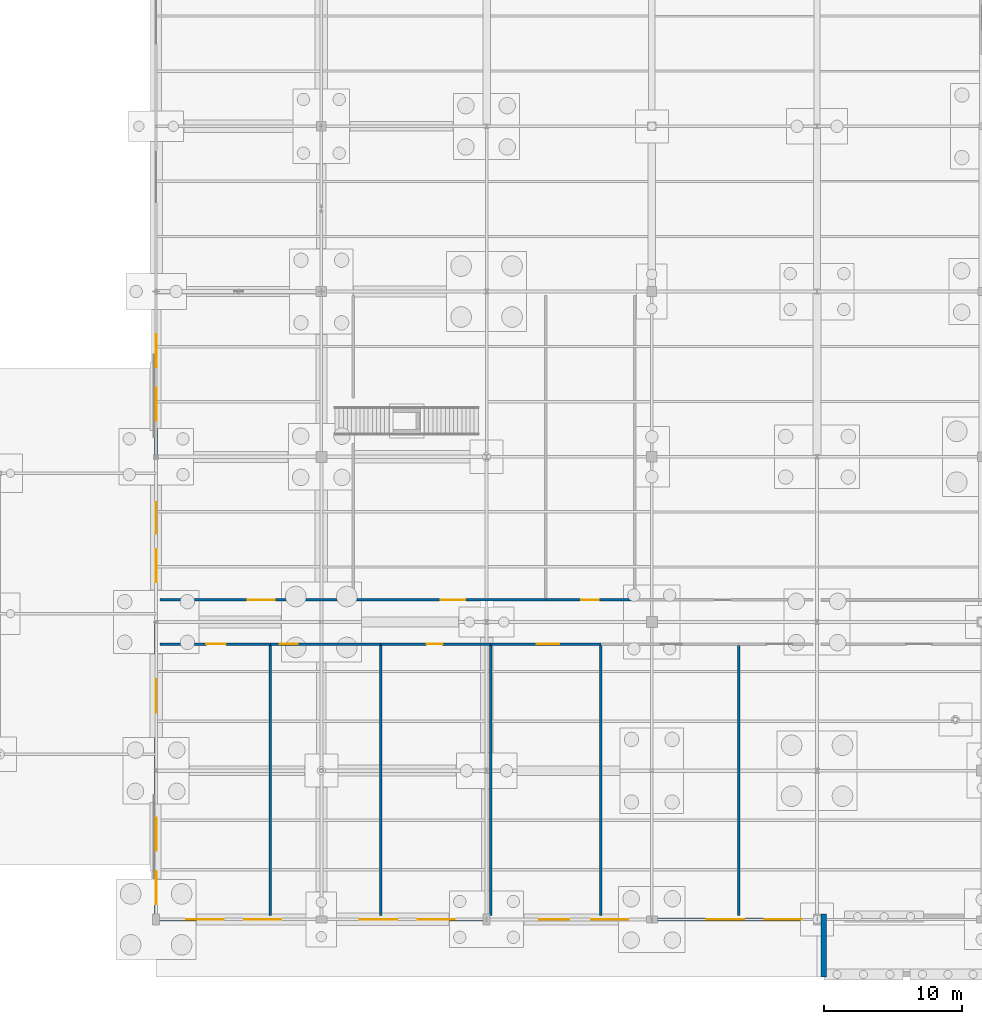
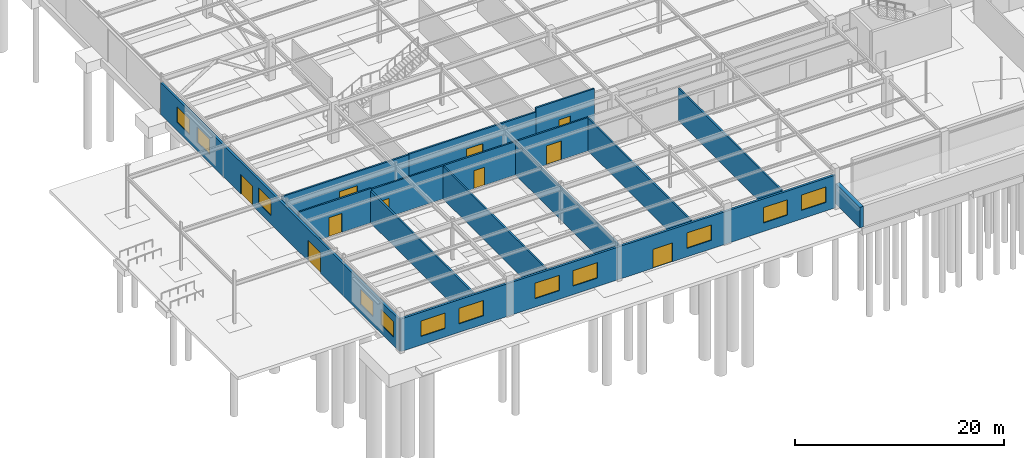
# One storey, part 118 of 136: 15 walls, 12 windows, 10 doors, 22 openings.
"""IFC4 building model written with IfcOpenShell, lengths in metres."""

import ifcopenshell
import ifcopenshell.guid

model = None  # the IFC model being written
_history = None  # IfcOwnerHistory: only IFC2X3 demands one
_inside = {}  # id of a spatial element -> (the spatial element, [elements in it])
_under = {}  # id of a project, library or spatial element -> (it, [spatial elements below it])
_declared = {}  # id of a project -> (the project, [libraries it declares])
_typed = {}  # id of a type object -> (the type object, [elements of that type])
_made_of = {}  # id of a material, layer set ... -> (it, [elements and type objects made of it])


def new_model(schema):
    """Start an empty IFC model of exactly this schema.

    Asked for "IFC4X3", IfcOpenShell would pick the latest addendum, in which some entities
    have other attributes; the version numbers below select the first issue.
    IFC2X3 requires an IfcOwnerHistory on every rooted entity: one is made here for all.
    """
    global model, _history
    if schema == "IFC4X3":
        model = ifcopenshell.file(schema_version=(4, 3, 0, 0))
    else:
        model = ifcopenshell.file(schema=schema)
    _inside.clear()
    _under.clear()
    _declared.clear()
    _typed.clear()
    _made_of.clear()
    _history = None
    if model.schema == "IFC2X3":
        org = make("IfcOrganization", Name="unknown")
        user = make(
            "IfcPersonAndOrganization",
            ThePerson=make("IfcPerson", FamilyName="unknown"),
            TheOrganization=org,
        )
        app = make(
            "IfcApplication",
            ApplicationDeveloper=org,
            Version="unknown",
            ApplicationFullName="unknown",
            ApplicationIdentifier="unknown",
        )
        _history = make(
            "IfcOwnerHistory",
            OwningUser=user,
            OwningApplication=app,
            ChangeAction="ADDED",
            CreationDate=0,
        )
    return model


def make(cls, **values):
    """One entity of the class cls with the attributes given. An attribute that is None is left unset."""
    return model.create_entity(
        cls, **{name: value for name, value in values.items() if value is not None}
    )


def rooted(cls, **values):
    """An entity with a GlobalId (a new one), such as an element, a storey or a relation."""
    return make(cls, GlobalId=ifcopenshell.guid.new(), OwnerHistory=_history, **values)


def si_unit(unit_type, name, prefix=None):
    """IfcSIUnit, for example si_unit("LENGTHUNIT", "METRE", prefix="MILLI")."""
    return make("IfcSIUnit", UnitType=unit_type, Prefix=prefix, Name=name)


def assignment(units):
    """IfcUnitAssignment: the units of a project."""
    return None if units is None else make("IfcUnitAssignment", Units=units)


def point(xyz):
    """IfcCartesianPoint."""
    return None if xyz is None else make("IfcCartesianPoint", Coordinates=xyz)


def direction(xyz):
    """IfcDirection."""
    return None if xyz is None else make("IfcDirection", DirectionRatios=xyz)


def frame(location, z_axis=None, x_axis=None):
    """IfcAxis2Placement3D, a coordinate frame: its origin and axes. An axis left out is left unset."""
    return make(
        "IfcAxis2Placement3D",
        Location=point(location),
        Axis=direction(z_axis),
        RefDirection=direction(x_axis),
    )


def frame_2d(location, x_axis=None):
    """IfcAxis2Placement2D, a coordinate frame in the plane: its origin and x axis."""
    return make(
        "IfcAxis2Placement2D", Location=point(location), RefDirection=direction(x_axis)
    )


def origin():
    """The frame at (0, 0, 0) with its axes left unset."""
    return frame((0.0, 0.0, 0.0))


def place(relative_to, where):
    """IfcLocalPlacement: puts the frame where relative to a parent placement (None: the world)."""
    return make(
        "IfcLocalPlacement", PlacementRelTo=relative_to, RelativePlacement=where
    )


def context(
    kind, dimensions, precision=None, world=None, true_north=None, identifier=None
):
    """IfcGeometricRepresentationContext, for example the 3D "Model" context."""
    return make(
        "IfcGeometricRepresentationContext",
        ContextIdentifier=identifier,
        ContextType=kind,
        CoordinateSpaceDimension=dimensions,
        Precision=precision,
        WorldCoordinateSystem=world,
        TrueNorth=true_north,
    )


def subcontext(parent, identifier, kind, view, scale=None):
    """IfcGeometricRepresentationSubContext, for example "Body" below "Model"."""
    return make(
        "IfcGeometricRepresentationSubContext",
        ContextIdentifier=identifier,
        ContextType=kind,
        ParentContext=parent,
        TargetScale=scale,
        TargetView=view,
    )


def project(units=None, contexts=None):
    """IfcProject with its units and contexts."""
    return rooted(
        "IfcProject",
        Name="project",
        RepresentationContexts=contexts,
        UnitsInContext=assignment(units),
    )


def spatial(cls, under=None, at=None, **own):
    """A site, building, storey or space (cls), placed at a placement, below another one or the project."""
    s = rooted(cls, ObjectPlacement=at, **own)
    if under is not None:
        _under.setdefault(under.id(), (under, []))[1].append(s)
    return s


def profile(cls, at=None, kind="AREA", **sizes):
    """A parametric profile (cls). Its sizes go by their IFC names, for example OverallWidth=200.0."""
    return make(cls, ProfileType=kind, Position=at, **sizes)


def rectangle(**sizes):
    """IfcRectangleProfileDef."""
    return profile("IfcRectangleProfileDef", **sizes)


def extrude(swept, where, along, depth):
    """IfcExtrudedAreaSolid: the profile swept, set in the frame where, extruded along a direction by depth."""
    return make(
        "IfcExtrudedAreaSolid",
        SweptArea=swept,
        Position=where,
        ExtrudedDirection=direction(along),
        Depth=depth,
    )


def shape(context_of_items, identifier, shape_type, items):
    """IfcShapeRepresentation: the items that make up one representation, for example the "Body"."""
    return make(
        "IfcShapeRepresentation",
        ContextOfItems=context_of_items,
        RepresentationIdentifier=identifier,
        RepresentationType=shape_type,
        Items=items,
    )


def material(Name=None, Category=None):
    """IfcMaterial."""
    return make("IfcMaterial", Name=Name, Category=Category)


def layer(
    of_material, thickness, ventilated=None, Name=None, Category=None, Priority=None
):
    """IfcMaterialLayer: one layer of a wall or slab, of a material (None: an air gap)."""
    return make(
        "IfcMaterialLayer",
        Material=of_material,
        LayerThickness=thickness,
        IsVentilated=ventilated,
        Name=Name,
        Category=Category,
        Priority=Priority,
    )


def layer_set(layers, Name=None):
    """IfcMaterialLayerSet."""
    return make("IfcMaterialLayerSet", MaterialLayers=layers, LayerSetName=Name)


def made_of(thing, what):
    """Note that an element or type object is made of a material, layer set ...; save() writes the relation."""
    if what is not None:
        _made_of.setdefault(what.id(), (what, []))[1].append(thing)
    return thing


def type_object(cls, material=None, **own):
    """A type object (cls), such as IfcWallType, which elements share."""
    return made_of(rooted(cls, **own), material)


def element(
    cls,
    number,
    at=None,
    inside=None,
    cuts=None,
    type_object=None,
    material=None,
    context=None,
    identifier="Body",
    shape_type=None,
    held_by="IfcProductDefinitionShape",
    body=None,
    shapes=None,
    **own,
):
    """One element of the class cls, such as IfcWall. Its Tag is "e" and its number.

    at: its placement. inside: the storey or other place that contains it. cuts: it is an
    opening in that element (IfcRelVoidsElement). A single representation is given by context,
    identifier, shape_type and body (its items); several are given by shapes. held_by: the class
    of the entity that holds the representations. save() writes the other relations.
    """
    e = rooted(cls, Tag="e%d" % number, ObjectPlacement=at, **own)
    if body is not None:
        shapes = [shape(context, identifier, shape_type, body)]
    if shapes is not None:
        e.Representation = make(held_by, Representations=shapes)
    if inside is not None:
        _inside.setdefault(inside.id(), (inside, []))[1].append(e)
    if cuts is not None:
        rooted(
            "IfcRelVoidsElement", RelatingBuildingElement=cuts, RelatedOpeningElement=e
        )
    if type_object is not None:
        _typed.setdefault(type_object.id(), (type_object, []))[1].append(e)
    return made_of(e, material)


def fill(opening, filler):
    """IfcRelFillsElement: the door or window that sits in an opening."""
    return rooted(
        "IfcRelFillsElement",
        RelatingOpeningElement=opening,
        RelatedBuildingElement=filler,
    )


def aggregate(whole, parts):
    """IfcRelAggregates: a whole, such as a stair, and the parts it consists of."""
    return rooted("IfcRelAggregates", RelatingObject=whole, RelatedObjects=parts)


def save(model, path):
    """Write the relations noted so far, then the file.

    IfcRelAggregates (storeys below a building ...), IfcRelContainedInSpatialStructure (elements
    in a storey), IfcRelDefinesByType, IfcRelAssociatesMaterial and IfcRelDeclares: one each for
    every whole, place, type object, material and project.
    """
    for whole, parts in _under.values():
        aggregate(whole, parts)
    for where, things in _inside.values():
        rooted(
            "IfcRelContainedInSpatialStructure",
            RelatedElements=things,
            RelatingStructure=where,
        )
    for kind, things in _typed.values():
        rooted("IfcRelDefinesByType", RelatedObjects=things, RelatingType=kind)
    for what, things in _made_of.values():
        rooted("IfcRelAssociatesMaterial", RelatedObjects=things, RelatingMaterial=what)
    for by, libraries in _declared.values():
        rooted("IfcRelDeclares", RelatingContext=by, RelatedDefinitions=libraries)
    model.write(path)


model = new_model("IFC4")

# Units and contexts
model_context = context("Model", 3, precision=1e-05, world=origin(), true_north=direction((0.0, 1.0)))
body_context = subcontext(model_context, "Body", "Model", "MODEL_VIEW")
ifc_project = project(units=[si_unit("LENGTHUNIT", "METRE"), si_unit("AREAUNIT", "SQUARE_METRE"), si_unit("VOLUMEUNIT", "CUBIC_METRE"), si_unit("PLANEANGLEUNIT", "RADIAN"), si_unit("MASSUNIT", "GRAM", prefix="KILO")], contexts=[model_context])

# Site, building, storey
site_placement = place(None, origin())
site = spatial("IfcSite", under=ifc_project, at=site_placement, CompositionType="ELEMENT")
building_placement = place(site_placement, origin())
building = spatial("IfcBuilding", under=site, at=building_placement, Name="Tarnwether General Hospital", CompositionType="ELEMENT")
storey_placement = place(building_placement, frame((0.0, 0.0, -4.800048828125)))
storey = spatial("IfcBuildingStorey", under=building, at=storey_placement, Name="LG", CompositionType="ELEMENT", Elevation=-4.800048828125)

# Wall, openings, doors, windows
ifc_material_1 = material(Name="Folded zinc-titanium cladding")
ifc_layer_1 = layer(ifc_material_1, 0.239990234375)
ifc_layer_set_1 = layer_set([ifc_layer_1], Name="Folded zinc-titanium cladding")
wall_type_1 = type_object("IfcWallType", Name="WL-EX240", PredefinedType="STANDARD", material=ifc_layer_set_1)
wall_1_placement = place(storey_placement, frame((0.0, 0.0, 0.0), z_axis=(0.0, 0.0, 1.0), x_axis=(0.0, 1.0, 0.0)))
wall_1 = element("IfcWall", 1, at=wall_1_placement, inside=storey, type_object=wall_type_1, Name="LG Emergency West Facade EW-LG-0275", PredefinedType="STANDARD", context=body_context, shape_type="SweptSolid", body=[
    extrude(rectangle(XDim=45.60009765625, YDim=0.239990234375, at=frame_2d((22.800048828125, 0.0))), origin(), (0.0, 0.0, 1.0), 3.72314453125),
])
opening_1_placement = place(wall_1_placement, frame((15.0, 0.0, 0.0)))
opening_1 = element("IfcOpeningElement", 2, at=opening_1_placement, cuts=wall_1, Name="Opening ED-01", PredefinedType="OPENING", context=body_context, shape_type="SweptSolid", body=[
    extrude(rectangle(XDim=2.4599609375, YDim=2.39990234375, at=frame_2d((1.22998046875, 1.199951171875))), frame((0.0, 0.1298828125, 0.0), z_axis=(0.0, -1.0, 0.0), x_axis=(1.0, 0.0, 0.0)), (0.0, 0.0, 1.0), 0.260009765625),
])
opening_2_placement = place(wall_1_placement, frame((28.0, 0.0, 0.0)))
opening_2 = element("IfcOpeningElement", 3, at=opening_2_placement, cuts=wall_1, Name="Opening ED-02", PredefinedType="OPENING", context=body_context, shape_type="SweptSolid", body=[
    extrude(rectangle(XDim=2.300048828125, YDim=2.300048828125, at=frame_2d((1.14990234375, 1.14990234375))), frame((0.0, 0.1298828125, 0.0), z_axis=(0.0, -1.0, 0.0), x_axis=(1.0, 0.0, 0.0)), (0.0, 0.0, 1.0), 0.260009765625),
])
opening_3_placement = place(wall_1_placement, frame((1.10009765625, 0.0, 1.0)))
opening_3 = element("IfcOpeningElement", 4, at=opening_3_placement, cuts=wall_1, Name="Opening W-10", PredefinedType="OPENING", context=body_context, shape_type="SweptSolid", body=[
    extrude(rectangle(XDim=2.39990234375, YDim=1.800048828125, at=frame_2d((1.199951171875, 0.89990234375))), frame((0.0, 0.1298828125, 0.0), z_axis=(0.0, -1.0, 0.0), x_axis=(1.0, 0.0, 0.0)), (0.0, 0.0, 1.0), 0.260009765625),
])
opening_4_placement = place(wall_1_placement, frame((5.0, 0.0, 1.0)))
opening_4 = element("IfcOpeningElement", 5, at=opening_4_placement, cuts=wall_1, Name="Opening W-10", PredefinedType="OPENING", context=body_context, shape_type="SweptSolid", body=[
    extrude(rectangle(XDim=2.39990234375, YDim=1.800048828125, at=frame_2d((1.199951171875, 0.89990234375))), frame((0.0, 0.1298828125, 0.0), z_axis=(0.0, -1.0, 0.0), x_axis=(1.0, 0.0, 0.0)), (0.0, 0.0, 1.0), 0.260009765625),
])
opening_5_placement = place(wall_1_placement, frame((24.5, 0.0, 1.0)))
opening_5 = element("IfcOpeningElement", 6, at=opening_5_placement, cuts=wall_1, Name="Opening W-10", PredefinedType="OPENING", context=body_context, shape_type="SweptSolid", body=[
    extrude(rectangle(XDim=2.39990234375, YDim=1.800048828125, at=frame_2d((1.199951171875, 0.89990234375))), frame((0.0, 0.1298828125, 0.0), z_axis=(0.0, -1.0, 0.0), x_axis=(1.0, 0.0, 0.0)), (0.0, 0.0, 1.0), 0.260009765625),
])
opening_6_placement = place(wall_1_placement, frame((36.199951171875, 0.0, 1.0)))
opening_6 = element("IfcOpeningElement", 7, at=opening_6_placement, cuts=wall_1, Name="Opening W-10", PredefinedType="OPENING", context=body_context, shape_type="SweptSolid", body=[
    extrude(rectangle(XDim=2.39990234375, YDim=1.800048828125, at=frame_2d((1.199951171875, 0.89990234375))), frame((0.0, 0.1298828125, 0.0), z_axis=(0.0, -1.0, 0.0), x_axis=(1.0, 0.0, 0.0)), (0.0, 0.0, 1.0), 0.260009765625),
])
opening_7_placement = place(wall_1_placement, frame((40.10009765625, 0.0, 1.0)))
opening_7 = element("IfcOpeningElement", 8, at=opening_7_placement, cuts=wall_1, Name="Opening W-10", PredefinedType="OPENING", context=body_context, shape_type="SweptSolid", body=[
    extrude(rectangle(XDim=2.39990234375, YDim=1.800048828125, at=frame_2d((1.199951171875, 0.89990234375))), frame((0.0, 0.1298828125, 0.0), z_axis=(0.0, -1.0, 0.0), x_axis=(1.0, 0.0, 0.0)), (0.0, 0.0, 1.0), 0.260009765625),
])
ifc_material_2 = material(Name="Anodised aluminium", Category="aluminium")
door_type_1 = type_object("IfcDoorType", Name="DR-EX01", OperationType="NOTDEFINED", PredefinedType="DOOR", material=ifc_material_2)
door_1_placement = place(opening_1_placement, origin())
door_1 = element("IfcDoor", 9, at=door_1_placement, inside=storey, type_object=door_type_1, Name="Emergency Ambulance Airlock Entrance ED-LG-0003", OperationType="DOUBLE_DOOR_SINGLE_SWING", OverallHeight=2.39990234375, OverallWidth=2.4599609375, PredefinedType="DOOR", context=body_context, shape_type="SweptSolid", body=[
    extrude(rectangle(XDim=2.4599609375, YDim=2.39990234375, at=frame_2d((1.22998046875, 1.199951171875))), frame((0.0, 0.02490234375, 0.0), z_axis=(0.0, -1.0, 0.0), x_axis=(1.0, 0.0, 0.0)), (0.0, 0.0, 1.0), 0.050048828125),
])
fill(opening_1, door_1)
ifc_material_3 = material(Name="Anodised aluminium", Category="aluminium")
door_type_2 = type_object("IfcDoorType", Name="DR-EX02", OperationType="NOTDEFINED", PredefinedType="DOOR", material=ifc_material_3)
door_2_placement = place(opening_2_placement, origin())
door_2 = element("IfcDoor", 10, at=door_2_placement, inside=storey, type_object=door_type_2, Name="Emergency Walk-In Entrance ED-LG-0004", OperationType="DOUBLE_DOOR_SINGLE_SWING", OverallHeight=2.300048828125, OverallWidth=2.300048828125, PredefinedType="DOOR", context=body_context, shape_type="SweptSolid", body=[
    extrude(rectangle(XDim=2.300048828125, YDim=2.300048828125, at=frame_2d((1.14990234375, 1.14990234375))), frame((0.0, 0.02490234375, 0.0), z_axis=(0.0, -1.0, 0.0), x_axis=(1.0, 0.0, 0.0)), (0.0, 0.0, 1.0), 0.050048828125),
])
fill(opening_2, door_2)
ifc_material_4 = material(Name="Double glazed low-E glass", Category="glass")
window_type_1 = type_object("IfcWindowType", Name="WN-10", PartitioningType="TRIPLE_PANEL_VERTICAL", PredefinedType="WINDOW", material=ifc_material_4)
window_1_placement = place(opening_3_placement, origin())
window_1 = element("IfcWindow", 11, at=window_1_placement, inside=storey, type_object=window_type_1, Name="Window WN-LG-0001", OverallHeight=1.800048828125, OverallWidth=2.39990234375, PartitioningType="TRIPLE_PANEL_VERTICAL", PredefinedType="WINDOW", context=body_context, shape_type="SweptSolid", body=[
    extrude(rectangle(XDim=2.39990234375, YDim=1.800048828125, at=frame_2d((1.199951171875, 0.89990234375))), frame((0.0, 0.030029296875, 0.0), z_axis=(0.0, -1.0, 0.0), x_axis=(1.0, 0.0, 0.0)), (0.0, 0.0, 1.0), 0.06005859375),
])
fill(opening_3, window_1)
window_2_placement = place(opening_4_placement, origin())
window_2 = element("IfcWindow", 12, at=window_2_placement, inside=storey, type_object=window_type_1, Name="Window WN-LG-0002", OverallHeight=1.800048828125, OverallWidth=2.39990234375, PartitioningType="TRIPLE_PANEL_VERTICAL", PredefinedType="WINDOW", context=body_context, shape_type="SweptSolid", body=[
    extrude(rectangle(XDim=2.39990234375, YDim=1.800048828125, at=frame_2d((1.199951171875, 0.89990234375))), frame((0.0, 0.030029296875, 0.0), z_axis=(0.0, -1.0, 0.0), x_axis=(1.0, 0.0, 0.0)), (0.0, 0.0, 1.0), 0.06005859375),
])
fill(opening_4, window_2)
window_3_placement = place(opening_5_placement, origin())
window_3 = element("IfcWindow", 13, at=window_3_placement, inside=storey, type_object=window_type_1, Name="Window WN-LG-0003", OverallHeight=1.800048828125, OverallWidth=2.39990234375, PartitioningType="TRIPLE_PANEL_VERTICAL", PredefinedType="WINDOW", context=body_context, shape_type="SweptSolid", body=[
    extrude(rectangle(XDim=2.39990234375, YDim=1.800048828125, at=frame_2d((1.199951171875, 0.89990234375))), frame((0.0, 0.030029296875, 0.0), z_axis=(0.0, -1.0, 0.0), x_axis=(1.0, 0.0, 0.0)), (0.0, 0.0, 1.0), 0.06005859375),
])
fill(opening_5, window_3)
window_4_placement = place(opening_6_placement, origin())
window_4 = element("IfcWindow", 14, at=window_4_placement, inside=storey, type_object=window_type_1, Name="Window WN-LG-0004", OverallHeight=1.800048828125, OverallWidth=2.39990234375, PartitioningType="TRIPLE_PANEL_VERTICAL", PredefinedType="WINDOW", context=body_context, shape_type="SweptSolid", body=[
    extrude(rectangle(XDim=2.39990234375, YDim=1.800048828125, at=frame_2d((1.199951171875, 0.89990234375))), frame((0.0, 0.030029296875, 0.0), z_axis=(0.0, -1.0, 0.0), x_axis=(1.0, 0.0, 0.0)), (0.0, 0.0, 1.0), 0.06005859375),
])
fill(opening_6, window_4)
window_5_placement = place(opening_7_placement, origin())
window_5 = element("IfcWindow", 15, at=window_5_placement, inside=storey, type_object=window_type_1, Name="Window WN-LG-0005", OverallHeight=1.800048828125, OverallWidth=2.39990234375, PartitioningType="TRIPLE_PANEL_VERTICAL", PredefinedType="WINDOW", context=body_context, shape_type="SweptSolid", body=[
    extrude(rectangle(XDim=2.39990234375, YDim=1.800048828125, at=frame_2d((1.199951171875, 0.89990234375))), frame((0.0, 0.030029296875, 0.0), z_axis=(0.0, -1.0, 0.0), x_axis=(1.0, 0.0, 0.0)), (0.0, 0.0, 1.0), 0.06005859375),
])
fill(opening_7, window_5)

# Wall, openings, door, windows
wall_2_placement = place(storey_placement, frame((48.0, 0.0, 0.0), z_axis=(0.0, 0.0, 1.0), x_axis=(-1.0, 0.0, 0.0)))
wall_2 = element("IfcWall", 16, at=wall_2_placement, inside=storey, type_object=wall_type_1, Name="LG Emergency South Facade EW-LG-0276", PredefinedType="STANDARD", context=body_context, shape_type="SweptSolid", body=[
    extrude(rectangle(XDim=48.0, YDim=0.239990234375, at=frame_2d((24.0, 0.0))), origin(), (0.0, 0.0, 1.0), 3.81298828125),
])
opening_8_placement = place(wall_2_placement, frame((18.0, 0.0, 0.0)))
opening_8 = element("IfcOpeningElement", 17, at=opening_8_placement, cuts=wall_2, Name="Opening ED-03", PredefinedType="OPENING", context=body_context, shape_type="SweptSolid", body=[
    extrude(rectangle(XDim=2.159912109375, YDim=2.199951171875, at=frame_2d((1.080078125, 1.10009765625))), frame((0.0, 0.1298828125, 0.0), z_axis=(0.0, -1.0, 0.0), x_axis=(1.0, 0.0, 0.0)), (0.0, 0.0, 1.0), 0.260009765625),
])
opening_9_placement = place(wall_2_placement, frame((1.10009765625, 0.0, 1.0)))
opening_9 = element("IfcOpeningElement", 18, at=opening_9_placement, cuts=wall_2, Name="Opening W-11", PredefinedType="OPENING", context=body_context, shape_type="SweptSolid", body=[
    extrude(rectangle(XDim=2.699951171875, YDim=1.800048828125, at=frame_2d((1.35009765625, 0.89990234375))), frame((0.0, 0.1298828125, 0.0), z_axis=(0.0, -1.0, 0.0), x_axis=(1.0, 0.0, 0.0)), (0.0, 0.0, 1.0), 0.260009765625),
])
opening_10_placement = place(wall_2_placement, frame((5.300048828125, 0.0, 1.0)))
opening_10 = element("IfcOpeningElement", 19, at=opening_10_placement, cuts=wall_2, Name="Opening W-11", PredefinedType="OPENING", context=body_context, shape_type="SweptSolid", body=[
    extrude(rectangle(XDim=2.699951171875, YDim=1.800048828125, at=frame_2d((1.35009765625, 0.89990234375))), frame((0.0, 0.1298828125, 0.0), z_axis=(0.0, -1.0, 0.0), x_axis=(1.0, 0.0, 0.0)), (0.0, 0.0, 1.0), 0.260009765625),
])
opening_11_placement = place(wall_2_placement, frame((13.699951171875, 0.0, 1.0)))
opening_11 = element("IfcOpeningElement", 20, at=opening_11_placement, cuts=wall_2, Name="Opening W-11", PredefinedType="OPENING", context=body_context, shape_type="SweptSolid", body=[
    extrude(rectangle(XDim=2.699951171875, YDim=1.800048828125, at=frame_2d((1.35009765625, 0.89990234375))), frame((0.0, 0.1298828125, 0.0), z_axis=(0.0, -1.0, 0.0), x_axis=(1.0, 0.0, 0.0)), (0.0, 0.0, 1.0), 0.260009765625),
])
opening_12_placement = place(wall_2_placement, frame((26.300048828125, 0.0, 1.0)))
opening_12 = element("IfcOpeningElement", 21, at=opening_12_placement, cuts=wall_2, Name="Opening W-11", PredefinedType="OPENING", context=body_context, shape_type="SweptSolid", body=[
    extrude(rectangle(XDim=2.699951171875, YDim=1.800048828125, at=frame_2d((1.35009765625, 0.89990234375))), frame((0.0, 0.1298828125, 0.0), z_axis=(0.0, -1.0, 0.0), x_axis=(1.0, 0.0, 0.0)), (0.0, 0.0, 1.0), 0.260009765625),
])
opening_13_placement = place(wall_2_placement, frame((30.5, 0.0, 1.0)))
opening_13 = element("IfcOpeningElement", 22, at=opening_13_placement, cuts=wall_2, Name="Opening W-11", PredefinedType="OPENING", context=body_context, shape_type="SweptSolid", body=[
    extrude(rectangle(XDim=2.699951171875, YDim=1.800048828125, at=frame_2d((1.35009765625, 0.89990234375))), frame((0.0, 0.1298828125, 0.0), z_axis=(0.0, -1.0, 0.0), x_axis=(1.0, 0.0, 0.0)), (0.0, 0.0, 1.0), 0.260009765625),
])
opening_14_placement = place(wall_2_placement, frame((38.89990234375, 0.0, 1.0)))
opening_14 = element("IfcOpeningElement", 23, at=opening_14_placement, cuts=wall_2, Name="Opening W-11", PredefinedType="OPENING", context=body_context, shape_type="SweptSolid", body=[
    extrude(rectangle(XDim=2.699951171875, YDim=1.800048828125, at=frame_2d((1.35009765625, 0.89990234375))), frame((0.0, 0.1298828125, 0.0), z_axis=(0.0, -1.0, 0.0), x_axis=(1.0, 0.0, 0.0)), (0.0, 0.0, 1.0), 0.260009765625),
])
opening_15_placement = place(wall_2_placement, frame((43.10009765625, 0.0, 1.0)))
opening_15 = element("IfcOpeningElement", 24, at=opening_15_placement, cuts=wall_2, Name="Opening W-11", PredefinedType="OPENING", context=body_context, shape_type="SweptSolid", body=[
    extrude(rectangle(XDim=2.699951171875, YDim=1.800048828125, at=frame_2d((1.35009765625, 0.89990234375))), frame((0.0, 0.1298828125, 0.0), z_axis=(0.0, -1.0, 0.0), x_axis=(1.0, 0.0, 0.0)), (0.0, 0.0, 1.0), 0.260009765625),
])
ifc_material_5 = material(Name="Anodised aluminium", Category="aluminium")
door_type_3 = type_object("IfcDoorType", Name="DR-EX03", OperationType="NOTDEFINED", PredefinedType="DOOR", material=ifc_material_5)
door_3_placement = place(opening_8_placement, origin())
door_3 = element("IfcDoor", 25, at=door_3_placement, inside=storey, type_object=door_type_3, Name="LG Emergency South Exit ED-LG-0005", OperationType="DOUBLE_DOOR_SINGLE_SWING", OverallHeight=2.199951171875, OverallWidth=2.159912109375, PredefinedType="DOOR", context=body_context, shape_type="SweptSolid", body=[
    extrude(rectangle(XDim=2.159912109375, YDim=2.199951171875, at=frame_2d((1.080078125, 1.10009765625))), frame((0.0, 0.02490234375, 0.0), z_axis=(0.0, -1.0, 0.0), x_axis=(1.0, 0.0, 0.0)), (0.0, 0.0, 1.0), 0.050048828125),
])
fill(opening_8, door_3)
ifc_material_6 = material(Name="Double glazed low-E glass", Category="glass")
window_type_2 = type_object("IfcWindowType", Name="WN-11", PartitioningType="TRIPLE_PANEL_VERTICAL", PredefinedType="WINDOW", material=ifc_material_6)
window_6_placement = place(opening_9_placement, origin())
window_6 = element("IfcWindow", 26, at=window_6_placement, inside=storey, type_object=window_type_2, Name="Window WN-LG-0006", OverallHeight=1.800048828125, OverallWidth=2.699951171875, PartitioningType="TRIPLE_PANEL_VERTICAL", PredefinedType="WINDOW", context=body_context, shape_type="SweptSolid", body=[
    extrude(rectangle(XDim=2.699951171875, YDim=1.800048828125, at=frame_2d((1.35009765625, 0.89990234375))), frame((0.0, 0.030029296875, 0.0), z_axis=(0.0, -1.0, 0.0), x_axis=(1.0, 0.0, 0.0)), (0.0, 0.0, 1.0), 0.06005859375),
])
fill(opening_9, window_6)
window_7_placement = place(opening_10_placement, origin())
window_7 = element("IfcWindow", 27, at=window_7_placement, inside=storey, type_object=window_type_2, Name="Window WN-LG-0007", OverallHeight=1.800048828125, OverallWidth=2.699951171875, PartitioningType="TRIPLE_PANEL_VERTICAL", PredefinedType="WINDOW", context=body_context, shape_type="SweptSolid", body=[
    extrude(rectangle(XDim=2.699951171875, YDim=1.800048828125, at=frame_2d((1.35009765625, 0.89990234375))), frame((0.0, 0.030029296875, 0.0), z_axis=(0.0, -1.0, 0.0), x_axis=(1.0, 0.0, 0.0)), (0.0, 0.0, 1.0), 0.06005859375),
])
fill(opening_10, window_7)
window_8_placement = place(opening_11_placement, origin())
window_8 = element("IfcWindow", 28, at=window_8_placement, inside=storey, type_object=window_type_2, Name="Window WN-LG-0008", OverallHeight=1.800048828125, OverallWidth=2.699951171875, PartitioningType="TRIPLE_PANEL_VERTICAL", PredefinedType="WINDOW", context=body_context, shape_type="SweptSolid", body=[
    extrude(rectangle(XDim=2.699951171875, YDim=1.800048828125, at=frame_2d((1.35009765625, 0.89990234375))), frame((0.0, 0.030029296875, 0.0), z_axis=(0.0, -1.0, 0.0), x_axis=(1.0, 0.0, 0.0)), (0.0, 0.0, 1.0), 0.06005859375),
])
fill(opening_11, window_8)
window_9_placement = place(opening_12_placement, origin())
window_9 = element("IfcWindow", 29, at=window_9_placement, inside=storey, type_object=window_type_2, Name="Window WN-LG-0009", OverallHeight=1.800048828125, OverallWidth=2.699951171875, PartitioningType="TRIPLE_PANEL_VERTICAL", PredefinedType="WINDOW", context=body_context, shape_type="SweptSolid", body=[
    extrude(rectangle(XDim=2.699951171875, YDim=1.800048828125, at=frame_2d((1.35009765625, 0.89990234375))), frame((0.0, 0.030029296875, 0.0), z_axis=(0.0, -1.0, 0.0), x_axis=(1.0, 0.0, 0.0)), (0.0, 0.0, 1.0), 0.06005859375),
])
fill(opening_12, window_9)
window_10_placement = place(opening_13_placement, origin())
window_10 = element("IfcWindow", 30, at=window_10_placement, inside=storey, type_object=window_type_2, Name="Window WN-LG-0010", OverallHeight=1.800048828125, OverallWidth=2.699951171875, PartitioningType="TRIPLE_PANEL_VERTICAL", PredefinedType="WINDOW", context=body_context, shape_type="SweptSolid", body=[
    extrude(rectangle(XDim=2.699951171875, YDim=1.800048828125, at=frame_2d((1.35009765625, 0.89990234375))), frame((0.0, 0.030029296875, 0.0), z_axis=(0.0, -1.0, 0.0), x_axis=(1.0, 0.0, 0.0)), (0.0, 0.0, 1.0), 0.06005859375),
])
fill(opening_13, window_10)
window_11_placement = place(opening_14_placement, origin())
window_11 = element("IfcWindow", 31, at=window_11_placement, inside=storey, type_object=window_type_2, Name="Window WN-LG-0011", OverallHeight=1.800048828125, OverallWidth=2.699951171875, PartitioningType="TRIPLE_PANEL_VERTICAL", PredefinedType="WINDOW", context=body_context, shape_type="SweptSolid", body=[
    extrude(rectangle(XDim=2.699951171875, YDim=1.800048828125, at=frame_2d((1.35009765625, 0.89990234375))), frame((0.0, 0.030029296875, 0.0), z_axis=(0.0, -1.0, 0.0), x_axis=(1.0, 0.0, 0.0)), (0.0, 0.0, 1.0), 0.06005859375),
])
fill(opening_14, window_11)
window_12_placement = place(opening_15_placement, origin())
window_12 = element("IfcWindow", 32, at=window_12_placement, inside=storey, type_object=window_type_2, Name="Window WN-LG-0012", OverallHeight=1.800048828125, OverallWidth=2.699951171875, PartitioningType="TRIPLE_PANEL_VERTICAL", PredefinedType="WINDOW", context=body_context, shape_type="SweptSolid", body=[
    extrude(rectangle(XDim=2.699951171875, YDim=1.800048828125, at=frame_2d((1.35009765625, 0.89990234375))), frame((0.0, 0.030029296875, 0.0), z_axis=(0.0, -1.0, 0.0), x_axis=(1.0, 0.0, 0.0)), (0.0, 0.0, 1.0), 0.06005859375),
])
fill(opening_15, window_12)

# Wall, opening, door
ifc_material_7 = material(Name="Gypsum plasterboard")
ifc_layer_2 = layer(ifc_material_7, 0.179931640625)
ifc_layer_set_2 = layer_set([ifc_layer_2], Name="Gypsum plasterboard")
wall_type_2 = type_object("IfcWallType", Name="WL-PT180", PredefinedType="PARTITIONING", material=ifc_layer_set_2)
wall_3_placement = place(storey_placement, frame((0.300048828125, 20.0, 0.0), z_axis=(0.0, 0.0, 1.0), x_axis=(1.0, 0.0, 0.0)))
wall_3 = element("IfcWall", 33, at=wall_3_placement, inside=storey, type_object=wall_type_2, Name="Interior Partition PT-LG-0001", PredefinedType="PARTITIONING", context=body_context, shape_type="SweptSolid", body=[
    extrude(rectangle(XDim=8.0, YDim=0.179931640625, at=frame_2d((4.0, 0.0))), origin(), (0.0, 0.0, 1.0), 4.011962890625),
])
opening_16_placement = place(wall_3_placement, frame((3.35009765625, 0.0, 0.0)))
opening_16 = element("IfcOpeningElement", 34, at=opening_16_placement, cuts=wall_3, Name="Opening D-01", PredefinedType="OPENING", context=body_context, shape_type="SweptSolid", body=[
    extrude(rectangle(XDim=1.419921875, YDim=2.219970703125, at=frame_2d((0.7099609375, 1.10986328125))), frame((0.0, 0.10009765625, 0.0), z_axis=(0.0, -1.0, 0.0), x_axis=(1.0, 0.0, 0.0)), (0.0, 0.0, 1.0), 0.199951171875),
])
ifc_material_8 = material(Name="Anodised aluminium", Category="aluminium")
door_type_4 = type_object("IfcDoorType", Name="DR-IN01", OperationType="NOTDEFINED", PredefinedType="DOOR", material=ifc_material_8)
door_4_placement = place(opening_16_placement, origin())
door_4 = element("IfcDoor", 35, at=door_4_placement, inside=storey, type_object=door_type_4, Name="Interior Door DR-LG-0001", OperationType="SINGLE_SWING_LEFT", OverallHeight=2.219970703125, OverallWidth=1.419921875, PredefinedType="DOOR", context=body_context, shape_type="SweptSolid", body=[
    extrude(rectangle(XDim=1.419921875, YDim=2.219970703125, at=frame_2d((0.7099609375, 1.10986328125))), frame((0.0, 0.02490234375, 0.0), z_axis=(0.0, -1.0, 0.0), x_axis=(1.0, 0.0, 0.0)), (0.0, 0.0, 1.0), 0.050048828125),
])
fill(opening_16, door_4)

# Wall
wall_4_placement = place(storey_placement, frame((8.300048828125, 0.300048828125, 0.0), z_axis=(0.0, 0.0, 1.0), x_axis=(0.0, 1.0, 0.0)))
element("IfcWall", 36, at=wall_4_placement, inside=storey, type_object=wall_type_2, Name="Interior Partition PT-LG-0002", PredefinedType="PARTITIONING", context=body_context, shape_type="SweptSolid", body=[
    extrude(rectangle(XDim=19.699951171875, YDim=0.179931640625, at=frame_2d((9.85009765625, 0.0))), origin(), (0.0, 0.0, 1.0), 3.72314453125),
])

# Wall, opening, door
wall_5_placement = place(storey_placement, frame((8.300048828125, 20.0, 0.0), z_axis=(0.0, 0.0, 1.0), x_axis=(1.0, 0.0, 0.0)))
wall_5 = element("IfcWall", 37, at=wall_5_placement, inside=storey, type_object=wall_type_2, Name="Interior Partition PT-LG-0003", PredefinedType="PARTITIONING", context=body_context, shape_type="SweptSolid", body=[
    extrude(rectangle(XDim=8.0, YDim=0.179931640625, at=frame_2d((4.0, 0.0))), origin(), (0.0, 0.0, 1.0), 3.882080078125),
])
opening_17_placement = place(wall_5_placement, frame((0.676025390625, 0.0, 0.0)))
opening_17 = element("IfcOpeningElement", 38, at=opening_17_placement, cuts=wall_5, Name="Opening D-03", PredefinedType="OPENING", context=body_context, shape_type="SweptSolid", body=[
    extrude(rectangle(XDim=1.300048828125, YDim=2.159912109375, at=frame_2d((0.64990234375, 1.080078125))), frame((0.0, 0.10009765625, 0.0), z_axis=(0.0, -1.0, 0.0), x_axis=(1.0, 0.0, 0.0)), (0.0, 0.0, 1.0), 0.199951171875),
])
ifc_material_9 = material(Name="Anodised aluminium", Category="aluminium")
door_type_5 = type_object("IfcDoorType", Name="DR-IN03", OperationType="NOTDEFINED", PredefinedType="DOOR", material=ifc_material_9)
door_5_placement = place(opening_17_placement, origin())
door_5 = element("IfcDoor", 39, at=door_5_placement, inside=storey, type_object=door_type_5, Name="Interior Door DR-LG-0002", OperationType="SINGLE_SWING_RIGHT", OverallHeight=2.159912109375, OverallWidth=1.300048828125, PredefinedType="DOOR", context=body_context, shape_type="SweptSolid", body=[
    extrude(rectangle(XDim=1.300048828125, YDim=2.159912109375, at=frame_2d((0.64990234375, 1.080078125))), frame((0.0, 0.02490234375, 0.0), z_axis=(0.0, -1.0, 0.0), x_axis=(1.0, 0.0, 0.0)), (0.0, 0.0, 1.0), 0.050048828125),
])
fill(opening_17, door_5)

# Wall
wall_6_placement = place(storey_placement, frame((16.300048828125, 0.300048828125, 0.0), z_axis=(0.0, 0.0, 1.0), x_axis=(0.0, 1.0, 0.0)))
element("IfcWall", 40, at=wall_6_placement, inside=storey, type_object=wall_type_2, Name="Interior Partition PT-LG-0004", PredefinedType="PARTITIONING", context=body_context, shape_type="SweptSolid", body=[
    extrude(rectangle(XDim=19.699951171875, YDim=0.179931640625, at=frame_2d((9.85009765625, 0.0))), origin(), (0.0, 0.0, 1.0), 3.802978515625),
])

# Wall, opening, door
wall_7_placement = place(storey_placement, frame((16.300048828125, 20.0, 0.0), z_axis=(0.0, 0.0, 1.0), x_axis=(1.0, 0.0, 0.0)))
wall_7 = element("IfcWall", 41, at=wall_7_placement, inside=storey, type_object=wall_type_2, Name="Interior Partition PT-LG-0005", PredefinedType="PARTITIONING", context=body_context, shape_type="SweptSolid", body=[
    extrude(rectangle(XDim=8.0, YDim=0.179931640625, at=frame_2d((4.0, 0.0))), origin(), (0.0, 0.0, 1.0), 3.886962890625),
])
opening_18_placement = place(wall_7_placement, frame((3.35009765625, 0.0, 0.0)))
opening_18 = element("IfcOpeningElement", 42, at=opening_18_placement, cuts=wall_7, Name="Opening D-06", PredefinedType="OPENING", context=body_context, shape_type="SweptSolid", body=[
    extrude(rectangle(XDim=1.159912109375, YDim=2.10009765625, at=frame_2d((0.580078125, 1.050048828125))), frame((0.0, 0.10009765625, 0.0), z_axis=(0.0, -1.0, 0.0), x_axis=(1.0, 0.0, 0.0)), (0.0, 0.0, 1.0), 0.199951171875),
])
ifc_material_10 = material(Name="Anodised aluminium", Category="aluminium")
door_type_6 = type_object("IfcDoorType", Name="DR-IN06", OperationType="NOTDEFINED", PredefinedType="DOOR", material=ifc_material_10)
door_6_placement = place(opening_18_placement, origin())
door_6 = element("IfcDoor", 43, at=door_6_placement, inside=storey, type_object=door_type_6, Name="Interior Door DR-LG-0003", OperationType="SINGLE_SWING_LEFT", OverallHeight=2.10009765625, OverallWidth=1.159912109375, PredefinedType="DOOR", context=body_context, shape_type="SweptSolid", body=[
    extrude(rectangle(XDim=1.159912109375, YDim=2.10009765625, at=frame_2d((0.580078125, 1.050048828125))), frame((0.0, 0.02490234375, 0.0), z_axis=(0.0, -1.0, 0.0), x_axis=(1.0, 0.0, 0.0)), (0.0, 0.0, 1.0), 0.050048828125),
])
fill(opening_18, door_6)

# Wall
wall_8_placement = place(storey_placement, frame((24.300048828125, 0.300048828125, 0.0), z_axis=(0.0, 0.0, 1.0), x_axis=(0.0, 1.0, 0.0)))
element("IfcWall", 44, at=wall_8_placement, inside=storey, type_object=wall_type_2, Name="Interior Partition PT-LG-0006", PredefinedType="PARTITIONING", context=body_context, shape_type="SweptSolid", body=[
    extrude(rectangle(XDim=19.699951171875, YDim=0.179931640625, at=frame_2d((9.85009765625, 0.0))), origin(), (0.0, 0.0, 1.0), 3.802978515625),
])

# Wall, opening, door
wall_9_placement = place(storey_placement, frame((24.300048828125, 20.0, 0.0), z_axis=(0.0, 0.0, 1.0), x_axis=(1.0, 0.0, 0.0)))
wall_9 = element("IfcWall", 45, at=wall_9_placement, inside=storey, type_object=wall_type_2, Name="Interior Partition PT-LG-0007", PredefinedType="PARTITIONING", context=body_context, shape_type="SweptSolid", body=[
    extrude(rectangle(XDim=8.0, YDim=0.179931640625, at=frame_2d((4.0, 0.0))), origin(), (0.0, 0.0, 1.0), 3.886962890625),
])
opening_19_placement = place(wall_9_placement, frame((3.35009765625, 0.0, 0.0)))
opening_19 = element("IfcOpeningElement", 46, at=opening_19_placement, cuts=wall_9, Name="Opening FD-01", PredefinedType="OPENING", context=body_context, shape_type="SweptSolid", body=[
    extrude(rectangle(XDim=1.639892578125, YDim=2.199951171875, at=frame_2d((0.81982421875, 1.10009765625))), frame((0.0, 0.10009765625, 0.0), z_axis=(0.0, -1.0, 0.0), x_axis=(1.0, 0.0, 0.0)), (0.0, 0.0, 1.0), 0.199951171875),
])
ifc_material_11 = material(Name="Anodised aluminium", Category="aluminium")
door_type_7 = type_object("IfcDoorType", Name="DR-FD01", OperationType="NOTDEFINED", PredefinedType="DOOR", material=ifc_material_11)
door_7_placement = place(opening_19_placement, origin())
door_7 = element("IfcDoor", 47, at=door_7_placement, inside=storey, type_object=door_type_7, Name="Interior Door DR-LG-0004", OperationType="DOUBLE_DOOR_SINGLE_SWING", OverallHeight=2.199951171875, OverallWidth=1.639892578125, PredefinedType="DOOR", context=body_context, shape_type="SweptSolid", body=[
    extrude(rectangle(XDim=1.639892578125, YDim=2.199951171875, at=frame_2d((0.81982421875, 1.10009765625))), frame((0.0, 0.02490234375, 0.0), z_axis=(0.0, -1.0, 0.0), x_axis=(1.0, 0.0, 0.0)), (0.0, 0.0, 1.0), 0.050048828125),
])
fill(opening_19, door_7)

# Walls
wall_10_placement = place(storey_placement, frame((32.300048828125, 0.300048828125, 0.0), z_axis=(0.0, 0.0, 1.0), x_axis=(0.0, 1.0, 0.0)))
element("IfcWall", 48, at=wall_10_placement, inside=storey, type_object=wall_type_2, Name="Interior Partition PT-LG-0008", PredefinedType="PARTITIONING", context=body_context, shape_type="SweptSolid", body=[
    extrude(rectangle(XDim=19.699951171875, YDim=0.179931640625, at=frame_2d((9.85009765625, 0.0))), origin(), (0.0, 0.0, 1.0), 3.80810546875),
])
wall_11_placement = place(storey_placement, frame((42.300048828125, 0.300048828125, 0.0), z_axis=(0.0, 0.0, 1.0), x_axis=(0.0, 1.0, 0.0)))
element("IfcWall", 49, at=wall_11_placement, inside=storey, type_object=wall_type_2, Name="Interior Partition PT-LG-0010", PredefinedType="PARTITIONING", context=body_context, shape_type="SweptSolid", body=[
    extrude(rectangle(XDim=19.699951171875, YDim=0.179931640625, at=frame_2d((9.85009765625, 0.0))), origin(), (0.0, 0.0, 1.0), 3.81298828125),
])

# Wall, opening, door
wall_12_placement = place(storey_placement, frame((0.300048828125, 23.199951171875, 0.0), z_axis=(0.0, 0.0, 1.0), x_axis=(1.0, 0.0, 0.0)))
wall_12 = element("IfcWall", 50, at=wall_12_placement, inside=storey, type_object=wall_type_2, Name="Interior Partition PT-LG-0012", PredefinedType="PARTITIONING", context=body_context, shape_type="SweptSolid", body=[
    extrude(rectangle(XDim=14.0048828125, YDim=0.179931640625, at=frame_2d((7.00244140625, 0.0))), origin(), (0.0, 0.0, 1.0), 3.886962890625),
])
opening_20_placement = place(wall_12_placement, frame((6.35205078125, 0.0, 0.0)))
opening_20 = element("IfcOpeningElement", 51, at=opening_20_placement, cuts=wall_12, Name="Opening FD-04", PredefinedType="OPENING", context=body_context, shape_type="SweptSolid", body=[
    extrude(rectangle(XDim=1.97998046875, YDim=2.260009765625, at=frame_2d((0.989990234375, 1.1298828125))), frame((0.0, 0.10009765625, 0.0), z_axis=(0.0, -1.0, 0.0), x_axis=(1.0, 0.0, 0.0)), (0.0, 0.0, 1.0), 0.199951171875),
])
ifc_material_12 = material(Name="Anodised aluminium", Category="aluminium")
door_type_8 = type_object("IfcDoorType", Name="DR-FD04", OperationType="NOTDEFINED", PredefinedType="DOOR", material=ifc_material_12)
door_8_placement = place(opening_20_placement, origin())
door_8 = element("IfcDoor", 52, at=door_8_placement, inside=storey, type_object=door_type_8, Name="Interior Door DR-LG-0007", OperationType="DOUBLE_DOOR_SINGLE_SWING", OverallHeight=2.260009765625, OverallWidth=1.97998046875, PredefinedType="DOOR", context=body_context, shape_type="SweptSolid", body=[
    extrude(rectangle(XDim=1.97998046875, YDim=2.260009765625, at=frame_2d((0.989990234375, 1.1298828125))), frame((0.0, 0.02490234375, 0.0), z_axis=(0.0, -1.0, 0.0), x_axis=(1.0, 0.0, 0.0)), (0.0, 0.0, 1.0), 0.050048828125),
])
fill(opening_20, door_8)

wall_13_placement = place(storey_placement, frame((14.304931640625, 23.199951171875, 0.0), z_axis=(0.0, 0.0, 1.0), x_axis=(1.0, 0.0, 0.0)))
wall_13 = element("IfcWall", 53, at=wall_13_placement, inside=storey, type_object=wall_type_2, Name="Interior Partition PT-LG-0015", PredefinedType="PARTITIONING", context=body_context, shape_type="SweptSolid", body=[
    extrude(rectangle(XDim=14.004150390625, YDim=0.179931640625, at=frame_2d((7.001953125, 0.0))), origin(), (0.0, 0.0, 1.0), 3.955078125),
])
opening_21_placement = place(wall_13_placement, frame((6.35205078125, 0.0, 0.0)))
opening_21 = element("IfcOpeningElement", 54, at=opening_21_placement, cuts=wall_13, Name="Opening SD-01", PredefinedType="OPENING", context=body_context, shape_type="SweptSolid", body=[
    extrude(rectangle(XDim=1.800048828125, YDim=2.320068359375, at=frame_2d((0.89990234375, 1.16015625))), frame((0.0, 0.10009765625, 0.0), z_axis=(0.0, -1.0, 0.0), x_axis=(1.0, 0.0, 0.0)), (0.0, 0.0, 1.0), 0.199951171875),
])
ifc_material_13 = material(Name="Anodised aluminium", Category="aluminium")
door_type_9 = type_object("IfcDoorType", Name="DR-OR01", OperationType="NOTDEFINED", PredefinedType="DOOR", material=ifc_material_13)
door_9_placement = place(opening_21_placement, origin())
door_9 = element("IfcDoor", 55, at=door_9_placement, inside=storey, type_object=door_type_9, Name="Interior Door DR-LG-0008", OperationType="SLIDING_TO_LEFT", OverallHeight=2.320068359375, OverallWidth=1.800048828125, PredefinedType="DOOR", context=body_context, shape_type="SweptSolid", body=[
    extrude(rectangle(XDim=1.800048828125, YDim=2.320068359375, at=frame_2d((0.89990234375, 1.16015625))), frame((0.0, 0.02490234375, 0.0), z_axis=(0.0, -1.0, 0.0), x_axis=(1.0, 0.0, 0.0)), (0.0, 0.0, 1.0), 0.050048828125),
])
fill(opening_21, door_9)

wall_14_placement = place(storey_placement, frame((28.30908203125, 23.199951171875, 0.0), z_axis=(0.0, 0.0, 1.0), x_axis=(1.0, 0.0, 0.0)))
wall_14 = element("IfcWall", 56, at=wall_14_placement, inside=storey, type_object=wall_type_2, Name="Interior Partition PT-LG-0017", PredefinedType="PARTITIONING", context=body_context, shape_type="SweptSolid", body=[
    extrude(rectangle(XDim=6.4638671875, YDim=0.179931640625, at=frame_2d((3.23193359375, 0.0))), origin(), (0.0, 0.0, 1.0), 4.429931640625),
])
opening_22_placement = place(wall_14_placement, frame((2.58203125, 0.0, 0.0)))
opening_22 = element("IfcOpeningElement", 57, at=opening_22_placement, cuts=wall_14, Name="Opening FD-05", PredefinedType="OPENING", context=body_context, shape_type="SweptSolid", body=[
    extrude(rectangle(XDim=1.25, YDim=2.14990234375, at=frame_2d((0.625, 1.074951171875))), frame((0.0, 0.10009765625, 0.0), z_axis=(0.0, -1.0, 0.0), x_axis=(1.0, 0.0, 0.0)), (0.0, 0.0, 1.0), 0.199951171875),
])
ifc_material_14 = material(Name="Anodised aluminium", Category="aluminium")
door_type_10 = type_object("IfcDoorType", Name="DR-FD05", OperationType="NOTDEFINED", PredefinedType="DOOR", material=ifc_material_14)
door_10_placement = place(opening_22_placement, origin())
door_10 = element("IfcDoor", 58, at=door_10_placement, inside=storey, type_object=door_type_10, Name="Interior Door DR-LG-0009", OperationType="SINGLE_SWING_LEFT", OverallHeight=2.14990234375, OverallWidth=1.25, PredefinedType="DOOR", context=body_context, shape_type="SweptSolid", body=[
    extrude(rectangle(XDim=1.25, YDim=2.14990234375, at=frame_2d((0.625, 1.074951171875))), frame((0.0, 0.02490234375, 0.0), z_axis=(0.0, -1.0, 0.0), x_axis=(1.0, 0.0, 0.0)), (0.0, 0.0, 1.0), 0.050048828125),
])
fill(opening_22, door_10)

# Wall
ifc_material_15 = material(Name="Concrete 40 MPa", Category="concrete")
ifc_layer_3 = layer(ifc_material_15, 0.39990234375)
ifc_layer_set_3 = layer_set([ifc_layer_3], Name="Concrete 40 MPa")
wall_type_3 = type_object("IfcWallType", Name="WL-RW400", PredefinedType="USERDEFINED", material=ifc_layer_set_3)
wall_15_placement = place(storey_placement, frame((48.5, -4.199951171875, 0.0), z_axis=(0.0, 0.0, 1.0), x_axis=(0.0, 1.0, 0.0)))
element("IfcWall", 59, at=wall_15_placement, inside=storey, type_object=wall_type_3, Name="Scarp Retaining Wall RW-STEP48-S", ObjectType="RETAINING", PredefinedType="USERDEFINED", context=body_context, shape_type="SweptSolid", body=[
    extrude(rectangle(XDim=4.599853515625, YDim=0.39990234375, at=frame_2d((2.2998046875, 0.0))), origin(), (0.0, 0.0, 1.0), 2.400146484375),
])

save(model, "model.ifc")
